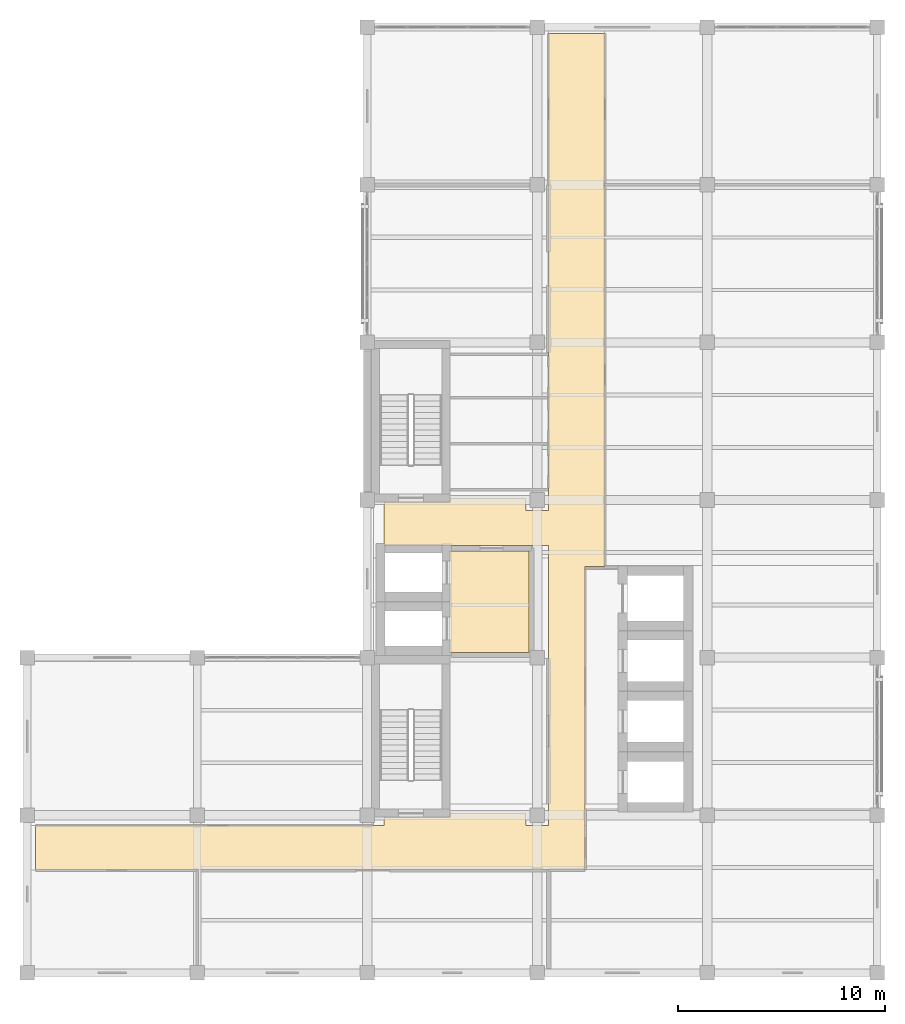
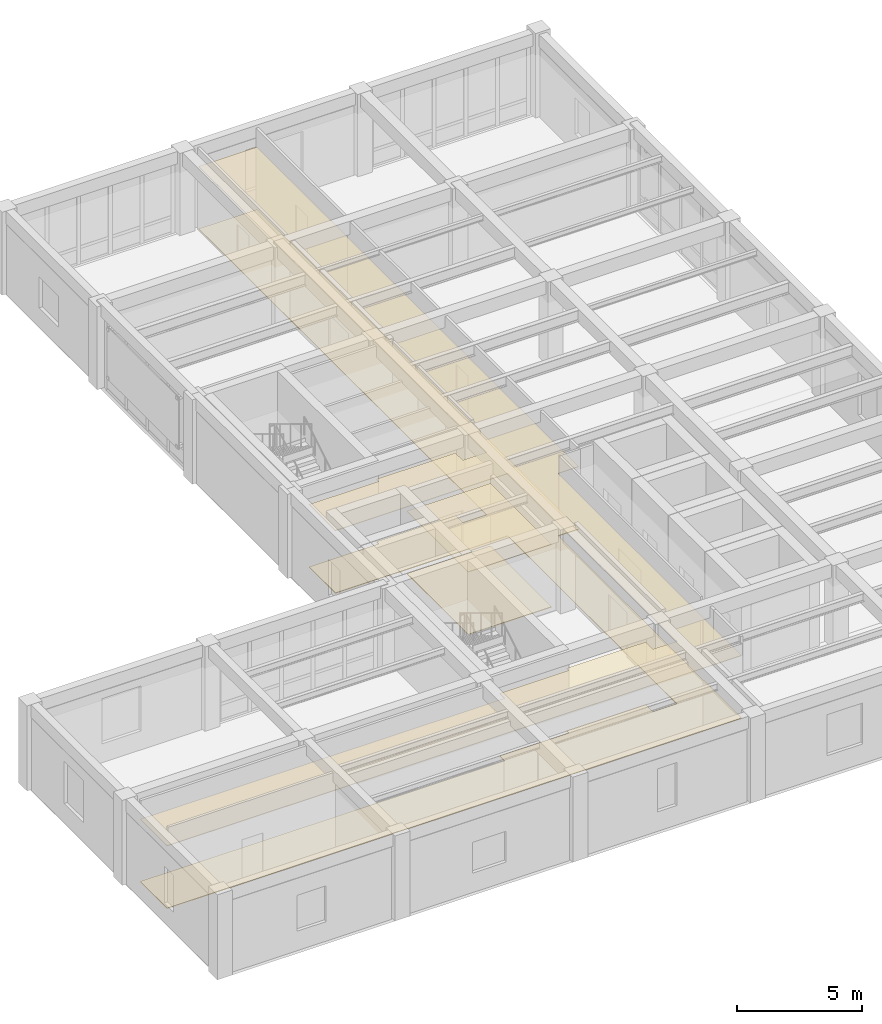
# One storey, part 11 of 13: 4 coverings.
"""IFC4 building model written with IfcOpenShell, lengths in metres."""

from ifc_helpers import new_model, si_unit, direction, frame, origin, place, context, subcontext, project, spatial, polyline, outline, extrude, material, layer, layer_set, type_object, element, save


model = new_model("IFC4")

# Units and contexts
model_context = context("Model", 3, precision=1e-05, world=origin(), true_north=direction((0.0, 1.0)))
body_context = subcontext(model_context, "Body", "Model", "MODEL_VIEW")
ifc_project = project(units=[si_unit("LENGTHUNIT", "METRE"), si_unit("AREAUNIT", "SQUARE_METRE"), si_unit("VOLUMEUNIT", "CUBIC_METRE"), si_unit("PLANEANGLEUNIT", "RADIAN"), si_unit("MASSUNIT", "GRAM", prefix="KILO")], contexts=[model_context])

# Site, building, storey
site_placement = place(None, origin())
site = spatial("IfcSite", under=ifc_project, at=site_placement, CompositionType="ELEMENT")
building_placement = place(site_placement, origin())
building = spatial("IfcBuilding", under=site, at=building_placement, Name="Qandaris Square Conservatory and Botanical Centre", CompositionType="ELEMENT")
storey_placement = place(building_placement, frame((0.0, 0.0, 61.800048828125)))
storey = spatial("IfcBuildingStorey", under=building, at=storey_placement, Name="L14", CompositionType="ELEMENT", Elevation=61.800048828125)

# Coverings
ifc_material_1 = material(Name="Honed Qatari Limestone", Category="masonry")
ifc_layer_1 = layer(ifc_material_1, 0.030029296875)
ifc_layer_set_1 = layer_set([ifc_layer_1], Name="Honed Qatari Limestone")
covering_type_1 = type_object("IfcCoveringType", Name="Honed Qatari Limestone Concourse Paving", PredefinedType="FLOORING", material=ifc_layer_set_1)
covering_1_placement = place(storey_placement, origin())
element("IfcCovering", 1, at=covering_1_placement, inside=storey, type_object=covering_type_1, Name="Firefighting Lift Lobby L14 Flooring", PredefinedType="FLOORING", context=body_context, shape_type="SweptSolid", body=[
    extrude(outline(polyline([(143.14990234375, 36.949951171875), (147.0, 36.949951171875), (147.0, 32.050048828125), (143.14990234375, 32.050048828125), (143.14990234375, 36.949951171875)])), origin(), (0.0, 0.0, 1.0), 0.030029296875),
])
covering_2_placement = place(storey_placement, origin())
element("IfcCovering", 2, at=covering_2_placement, inside=storey, type_object=covering_type_1, Name="Main Circulation Corridor L14 Flooring", PredefinedType="FLOORING", context=body_context, shape_type="SweptSolid", body=[
    extrude(outline(polyline([(140.0, 24.10009765625), (143.199951171875, 24.10009765625), (143.199951171875, 24.280029296875), (146.85009765625, 24.280029296875), (146.85009765625, 23.699951171875), (147.949951171875, 23.699951171875), (147.949951171875, 24.75), (147.949951171875, 31.75), (147.949951171875, 36.199951171875), (147.949951171875, 37.199951171875), (140.0, 37.199951171875), (140.0, 38.89990234375), (140.0, 39.300048828125), (143.199951171875, 39.300048828125), (143.199951171875, 39.47998046875), (146.85009765625, 39.47998046875), (146.85009765625, 38.89990234375), (147.949951171875, 38.89990234375), (147.949951171875, 39.89990234375), (147.949951171875, 42.1201171875), (147.949951171875, 44.340087890625), (147.949951171875, 46.419921875), (147.949951171875, 61.89990234375), (150.64990234375, 61.89990234375), (150.64990234375, 36.199951171875), (149.699951171875, 36.199951171875), (149.699951171875, 36.050048828125), (149.699951171875, 24.75), (149.699951171875, 23.699951171875), (149.699951171875, 21.550048828125), (147.949951171875, 21.550048828125), (123.199951171875, 21.550048828125), (123.199951171875, 23.699951171875), (140.0, 23.699951171875), (140.0, 24.10009765625)])), origin(), (0.0, 0.0, 1.0), 0.030029296875),
])
ifc_material_2 = material(Name="Gypsum Plasterboard", Category="gypsum")
ifc_layer_2 = layer(ifc_material_2, 0.02490234375)
ifc_layer_set_2 = layer_set([ifc_layer_2], Name="Gypsum Plasterboard")
covering_type_2 = type_object("IfcCoveringType", Name="Perforated Acoustic Lab Ceiling Tile", PredefinedType="CEILING", material=ifc_layer_set_2)
covering_3_placement = place(storey_placement, frame((0.0, 0.0, 3.050048828125)))
element("IfcCovering", 3, at=covering_3_placement, inside=storey, type_object=covering_type_2, Name="Firefighting Lift Lobby L14 Ceiling", PredefinedType="CEILING", context=body_context, shape_type="SweptSolid", body=[
    extrude(outline(polyline([(143.14990234375, 36.949951171875), (147.0, 36.949951171875), (147.0, 32.050048828125), (143.14990234375, 32.050048828125), (143.14990234375, 36.949951171875)])), origin(), (0.0, 0.0, 1.0), 0.02490234375),
])
covering_4_placement = place(storey_placement, frame((0.0, 0.0, 3.050048828125)))
element("IfcCovering", 4, at=covering_4_placement, inside=storey, type_object=covering_type_2, Name="Main Circulation Corridor L14 Ceiling", PredefinedType="CEILING", context=body_context, shape_type="SweptSolid", body=[
    extrude(outline(polyline([(140.0, 24.10009765625), (143.199951171875, 24.10009765625), (143.199951171875, 24.280029296875), (146.85009765625, 24.280029296875), (146.85009765625, 23.699951171875), (147.949951171875, 23.699951171875), (147.949951171875, 24.75), (147.949951171875, 31.75), (147.949951171875, 36.199951171875), (147.949951171875, 37.199951171875), (140.0, 37.199951171875), (140.0, 38.89990234375), (140.0, 39.300048828125), (143.199951171875, 39.300048828125), (143.199951171875, 39.47998046875), (146.85009765625, 39.47998046875), (146.85009765625, 38.89990234375), (147.949951171875, 38.89990234375), (147.949951171875, 39.89990234375), (147.949951171875, 42.1201171875), (147.949951171875, 44.340087890625), (147.949951171875, 46.419921875), (147.949951171875, 61.89990234375), (150.64990234375, 61.89990234375), (150.64990234375, 36.199951171875), (149.699951171875, 36.199951171875), (149.699951171875, 36.050048828125), (149.699951171875, 24.75), (149.699951171875, 23.699951171875), (149.699951171875, 21.550048828125), (147.949951171875, 21.550048828125), (123.199951171875, 21.550048828125), (123.199951171875, 23.699951171875), (140.0, 23.699951171875), (140.0, 24.10009765625)])), origin(), (0.0, 0.0, 1.0), 0.02490234375),
])

save(model, "model.ifc")
